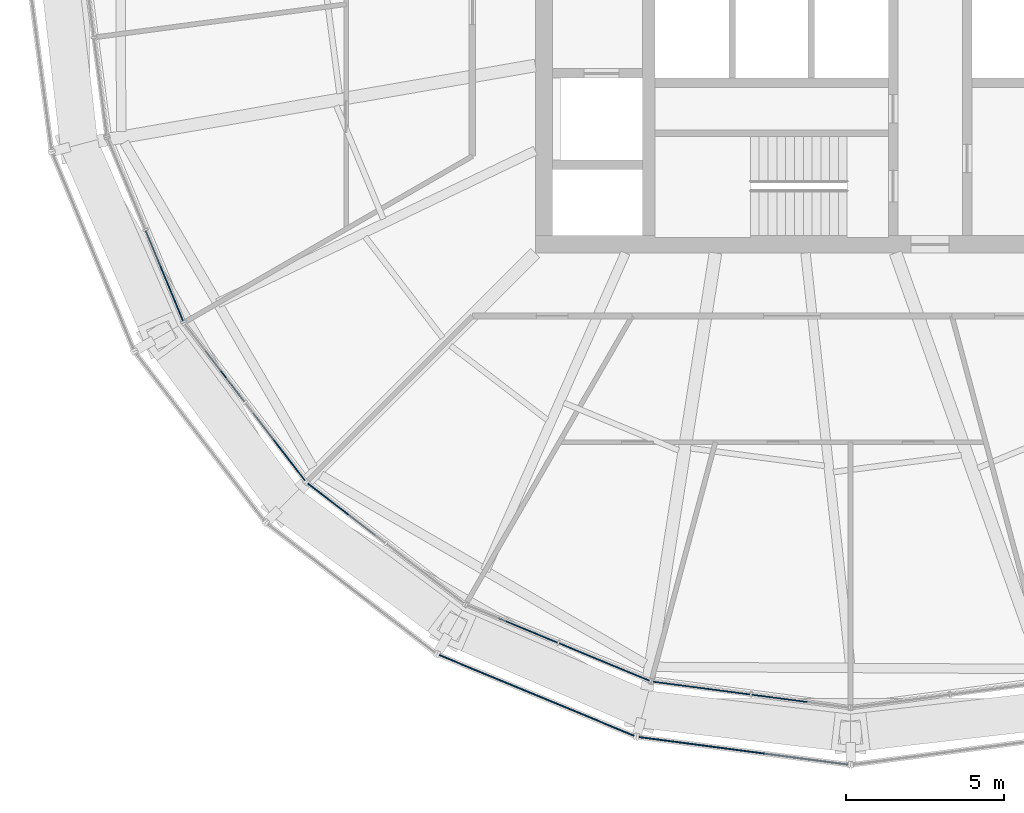
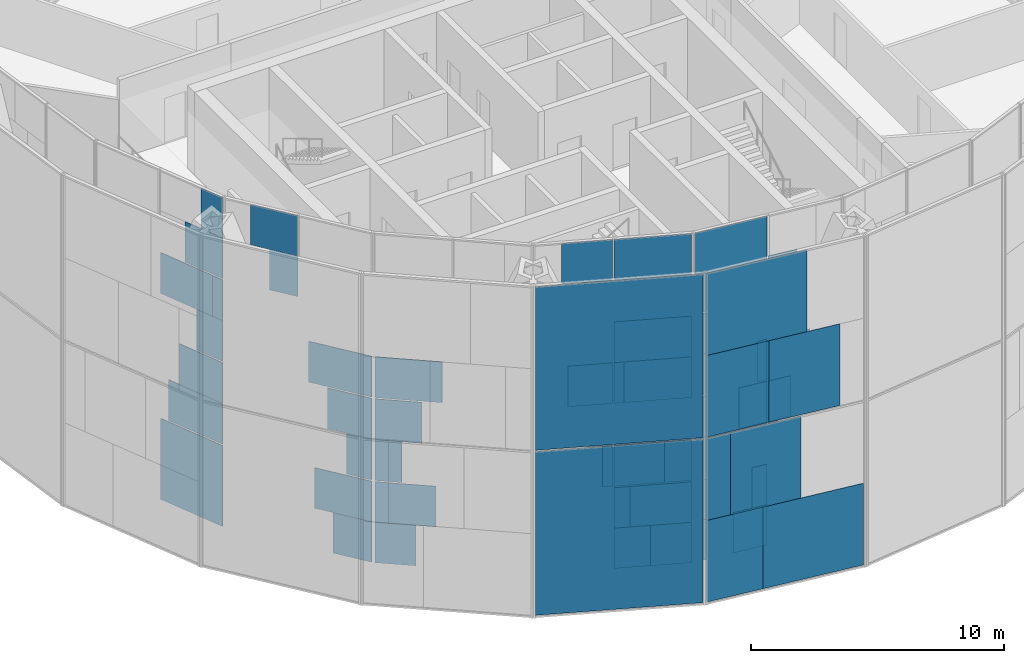
# One storey, part 13 of 28: 62 plates, 7 elements without a shape of their own.
"""IFC4 building model written with IfcOpenShell, lengths in metres."""

from ifc_helpers import new_model, si_unit, direction, frame, origin, origin_2d, place, context, subcontext, project, spatial, rectangle, extrude, material, layer, layer_set, type_object, element, aggregate, save


model = new_model("IFC4")

# Units and contexts
model_context = context("Model", 3, precision=1e-05, world=origin(), true_north=direction((0.0, 1.0)))
body_context = subcontext(model_context, "Body", "Model", "MODEL_VIEW")
ifc_project = project(units=[si_unit("LENGTHUNIT", "METRE"), si_unit("AREAUNIT", "SQUARE_METRE"), si_unit("VOLUMEUNIT", "CUBIC_METRE"), si_unit("PLANEANGLEUNIT", "RADIAN"), si_unit("MASSUNIT", "GRAM", prefix="KILO")], contexts=[model_context])

# Site, building, storey
site_placement = place(None, origin())
site = spatial("IfcSite", under=ifc_project, at=site_placement, CompositionType="ELEMENT")
building_placement = place(site_placement, origin())
building = spatial("IfcBuilding", under=site, at=building_placement, Name="Golbaran Civic Tower", CompositionType="ELEMENT")
storey_placement = place(building_placement, frame((0.0, 0.0, 134.0)))
storey = spatial("IfcBuildingStorey", under=building, at=storey_placement, Name="L32", CompositionType="ELEMENT", Elevation=134.0)

# Curtain wall, plates
ifc_material_1 = material(Name="Aluminium and glass", Category="aluminium")
curtain_wall_type_1 = type_object("IfcCurtainWallType", Name="INNER SKIN CURTAIN WALL", PredefinedType="NOTDEFINED", material=ifc_material_1)
curtain_wall_1_placement = place(storey_placement, origin())
curtain_wall_1 = element("IfcCurtainWall", 1, at=curtain_wall_1_placement, inside=storey, type_object=curtain_wall_type_1, Name="Inner skin L32 facet 14 CW1", ObjectType="INNER SKIN", PredefinedType="USERDEFINED")
ifc_material_2 = material(Name="Clear insulating glass", Category="glass")
ifc_layer_1 = layer(ifc_material_2, 0.031982421875, Name="Clear insulating glass")
ifc_layer_set_1 = layer_set([ifc_layer_1], Name="Clear insulating glass")
plate_type_1 = type_object("IfcPlateType", Name="INNER SKIN CURTAIN WALL GLAZED PANEL", PredefinedType="CURTAIN_PANEL", material=ifc_layer_set_1)
plate_1_placement = place(storey_placement, frame((-21.768798828125, -10.724853515625, 0.06494140625), z_axis=(0.0, 0.0, 1.0), x_axis=(0.38268343243, -0.923879532485, 0.0)))
plate_1 = element("IfcPlate", 2, at=plate_1_placement, type_object=plate_type_1, Name="CW1 panel 2.1", PredefinedType="CURTAIN_PANEL", context=body_context, shape_type="SweptSolid", body=[
    extrude(rectangle(XDim=3.090576171875, YDim=0.031982421875, at=origin_2d()), origin(), (0.0, 0.0, 1.0), 3.902587890625),
])
plate_2_placement = place(storey_placement, frame((-21.692138671875, -10.909912109375, 4.03271484375), z_axis=(0.0, 0.0, 1.0), x_axis=(0.38268343243, -0.923879532485, 0.0)))
plate_2 = element("IfcPlate", 3, at=plate_2_placement, type_object=plate_type_1, Name="CW1 panel 2.2 part 2", PredefinedType="CURTAIN_PANEL", context=body_context, shape_type="SweptSolid", body=[
    extrude(rectangle(XDim=2.689697265625, YDim=0.031982421875, at=origin_2d()), origin(), (0.0, 0.0, 1.0), 1.967529296875),
])
plate_3_placement = place(storey_placement, frame((-21.58935546875, -11.158447265625, 6.0), z_axis=(0.0, 0.0, 1.0), x_axis=(0.38268343243, -0.923879532485, 0.0)))
plate_3 = element("IfcPlate", 4, at=plate_3_placement, type_object=plate_type_1, Name="CW1 panel 2.2 part 4", PredefinedType="CURTAIN_PANEL", context=body_context, shape_type="SweptSolid", body=[
    extrude(rectangle(XDim=2.151611328125, YDim=0.031982421875, at=origin_2d()), origin(), (0.0, 0.0, 1.0), 1.967529296875),
])
plate_4_placement = place(storey_placement, frame((-21.4287109375, -11.546142578125, 8.03271484375), z_axis=(0.0, 0.0, 1.0), x_axis=(0.38268343243, -0.923879532485, 0.0)))
plate_4 = element("IfcPlate", 5, at=plate_4_placement, type_object=plate_type_1, Name="CW1 panel 2.3 part 2", PredefinedType="CURTAIN_PANEL", context=body_context, shape_type="SweptSolid", body=[
    extrude(rectangle(XDim=1.3125, YDim=0.031982421875, at=origin_2d()), origin(), (0.0, 0.0, 1.0), 1.967529296875),
])
plate_5_placement = place(storey_placement, frame((-21.2734375, -11.920654296875, 10.0), z_axis=(0.0, 0.0, 1.0), x_axis=(0.38268343243, -0.923879532485, 0.0)))
plate_5 = element("IfcPlate", 6, at=plate_5_placement, type_object=plate_type_1, Name="CW1 panel 2.3 part 4", PredefinedType="CURTAIN_PANEL", context=body_context, shape_type="SweptSolid", body=[
    extrude(rectangle(XDim=0.501708984375, YDim=0.031982421875, at=origin_2d()), origin(), (0.0, 0.0, 1.0), 1.967529296875),
])

curtain_wall_2_placement = place(storey_placement, origin())
curtain_wall_2 = element("IfcCurtainWall", 7, at=curtain_wall_2_placement, inside=storey, type_object=curtain_wall_type_1, Name="Inner skin L32 facet 15 CW1", ObjectType="INNER SKIN", PredefinedType="USERDEFINED")
plate_6_placement = place(storey_placement, frame((-19.6025390625, -14.232666015625, 12.032470703125), z_axis=(0.0, 0.0, 1.0), x_axis=(0.60876142905, -0.793353340259, 0.0)))
plate_6 = element("IfcPlate", 8, at=plate_6_placement, type_object=plate_type_1, Name="CW1 panel 1.4 part 2", PredefinedType="CURTAIN_PANEL", context=body_context, shape_type="SweptSolid", body=[
    extrude(rectangle(XDim=1.218505859375, YDim=0.031982421875, at=origin_2d()), origin(), (0.0, 0.0, 1.0), 1.951171875),
])
plate_7_placement = place(storey_placement, frame((-19.84765625, -13.913330078125, 13.98388671875), z_axis=(0.0, 0.0, 1.0), x_axis=(0.60876142905, -0.793353340259, 0.0)))
plate_7 = element("IfcPlate", 9, at=plate_7_placement, type_object=plate_type_1, Name="CW1 panel 1.4 part 4", PredefinedType="CURTAIN_PANEL", context=body_context, shape_type="SweptSolid", body=[
    extrude(rectangle(XDim=2.023681640625, YDim=0.031982421875, at=origin_2d()), origin(), (0.0, 0.0, 1.0), 1.951171875),
])
plate_8_placement = place(storey_placement, frame((-17.637451171875, -16.793701171875, 4.03271484375), z_axis=(0.0, 0.0, 1.0), x_axis=(0.60876142905, -0.793353340259, 0.0)))
plate_8 = element("IfcPlate", 10, at=plate_8_placement, type_object=plate_type_1, Name="CW1 panel 2.2 part 2", PredefinedType="CURTAIN_PANEL", context=body_context, shape_type="SweptSolid", body=[
    extrude(rectangle(XDim=1.073486328125, YDim=0.031982421875, at=origin_2d()), origin(), (0.0, 0.0, 1.0), 1.967529296875),
])
plate_9_placement = place(storey_placement, frame((-17.88427734375, -16.471923828125, 6.0), z_axis=(0.0, 0.0, 1.0), x_axis=(0.60876142905, -0.793353340259, 0.0)))
plate_9 = element("IfcPlate", 11, at=plate_9_placement, type_object=plate_type_1, Name="CW1 panel 2.2 part 4", PredefinedType="CURTAIN_PANEL", context=body_context, shape_type="SweptSolid", body=[
    extrude(rectangle(XDim=1.884521484375, YDim=0.031982421875, at=origin_2d()), origin(), (0.0, 0.0, 1.0), 1.967529296875),
])
plate_10_placement = place(storey_placement, frame((-18.12939453125, -16.152587890625, 8.03271484375), z_axis=(0.0, 0.0, 1.0), x_axis=(0.60876142905, -0.793353340259, 0.0)))
plate_10 = element("IfcPlate", 12, at=plate_10_placement, type_object=plate_type_1, Name="CW1 panel 2.3 part 2", PredefinedType="CURTAIN_PANEL", context=body_context, shape_type="SweptSolid", body=[
    extrude(rectangle(XDim=2.689697265625, YDim=0.031982421875, at=origin_2d()), origin(), (0.0, 0.0, 1.0), 1.967529296875),
])

curtain_wall_3_placement = place(storey_placement, origin())
curtain_wall_3 = element("IfcCurtainWall", 13, at=curtain_wall_3_placement, inside=storey, type_object=curtain_wall_type_1, Name="Inner skin L32 facet 16 CW1", ObjectType="INNER SKIN", PredefinedType="USERDEFINED")
plate_11_placement = place(storey_placement, frame((-16.7939453125, -17.63720703125, 4.03271484375), z_axis=(0.0, 0.0, 1.0), x_axis=(0.793353340259, -0.60876142905, 0.0)))
plate_11 = element("IfcPlate", 14, at=plate_11_placement, type_object=plate_type_1, Name="CW1 panel 1.2 part 1", PredefinedType="CURTAIN_PANEL", context=body_context, shape_type="SweptSolid", body=[
    extrude(rectangle(XDim=1.072998046875, YDim=0.031982421875, at=origin_2d()), origin(), (0.0, 0.0, 1.0), 1.967529296875),
])
plate_12_placement = place(storey_placement, frame((-16.4716796875, -17.884521484375, 6.0), z_axis=(0.0, 0.0, 1.0), x_axis=(0.793353340259, -0.60876142905, 0.0)))
plate_12 = element("IfcPlate", 15, at=plate_12_placement, type_object=plate_type_1, Name="CW1 panel 1.2 part 3", PredefinedType="CURTAIN_PANEL", context=body_context, shape_type="SweptSolid", body=[
    extrude(rectangle(XDim=1.885009765625, YDim=0.031982421875, at=origin_2d()), origin(), (0.0, 0.0, 1.0), 1.967529296875),
])
plate_13_placement = place(storey_placement, frame((-16.15283203125, -18.129150390625, 8.03271484375), z_axis=(0.0, 0.0, 1.0), x_axis=(0.793353340259, -0.60876142905, 0.0)))
plate_13 = element("IfcPlate", 16, at=plate_13_placement, type_object=plate_type_1, Name="CW1 panel 1.3 part 1", PredefinedType="CURTAIN_PANEL", context=body_context, shape_type="SweptSolid", body=[
    extrude(rectangle(XDim=2.68896484375, YDim=0.031982421875, at=origin_2d()), origin(), (0.0, 0.0, 1.0), 1.967529296875),
])

curtain_wall_4_placement = place(storey_placement, origin())
curtain_wall_4 = element("IfcCurtainWall", 17, at=curtain_wall_4_placement, inside=storey, type_object=curtain_wall_type_1, Name="Inner skin L32 facet 17 CW1", ObjectType="INNER SKIN", PredefinedType="USERDEFINED")
plate_14_placement = place(storey_placement, frame((-9.860107421875, -22.127197265625, 12.032470703125), z_axis=(0.0, 0.0, 1.0), x_axis=(0.923879532485, -0.38268343243, 0.0)))
plate_14 = element("IfcPlate", 18, at=plate_14_placement, type_object=plate_type_1, Name="CW1 panel 1.4 part 2", PredefinedType="CURTAIN_PANEL", context=body_context, shape_type="SweptSolid", body=[
    extrude(rectangle(XDim=1.218505859375, YDim=0.031982421875, at=origin_2d()), origin(), (0.0, 0.0, 1.0), 1.951171875),
])
plate_15_placement = place(storey_placement, frame((-10.23193359375, -21.97314453125, 13.98388671875), z_axis=(0.0, 0.0, 1.0), x_axis=(0.923879532485, -0.38268343243, 0.0)))
plate_15 = element("IfcPlate", 19, at=plate_15_placement, type_object=plate_type_1, Name="CW1 panel 1.4 part 4", PredefinedType="CURTAIN_PANEL", context=body_context, shape_type="SweptSolid", body=[
    extrude(rectangle(XDim=2.023681640625, YDim=0.031982421875, at=origin_2d()), origin(), (0.0, 0.0, 1.0), 1.951171875),
])
plate_16_placement = place(storey_placement, frame((-8.56689453125, -22.662841796875, 0.06494140625), z_axis=(0.0, 0.0, 1.0), x_axis=(0.923879532485, -0.38268343243, 0.0)))
plate_16 = element("IfcPlate", 20, at=plate_16_placement, type_object=plate_type_1, Name="CW1 panel 2.1 part 1", PredefinedType="CURTAIN_PANEL", context=body_context, shape_type="SweptSolid", body=[
    extrude(rectangle(XDim=1.450927734375, YDim=0.031982421875, at=origin_2d()), origin(), (0.0, 0.0, 1.0), 1.951171875),
])
plate_17_placement = place(storey_placement, frame((-8.938720703125, -22.5087890625, 2.016357421875), z_axis=(0.0, 0.0, 1.0), x_axis=(0.923879532485, -0.38268343243, 0.0)))
plate_17 = element("IfcPlate", 21, at=plate_17_placement, type_object=plate_type_1, Name="CW1 panel 2.1 part 3", PredefinedType="CURTAIN_PANEL", context=body_context, shape_type="SweptSolid", body=[
    extrude(rectangle(XDim=0.64599609375, YDim=0.031982421875, at=origin_2d()), origin(), (0.0, 0.0, 1.0), 1.951171875),
])
plate_18_placement = place(storey_placement, frame((-6.877685546875, -23.362548828125, 4.03271484375), z_axis=(0.0, 0.0, 1.0), x_axis=(0.923879532485, -0.38268343243, 0.0)))
plate_18 = element("IfcPlate", 22, at=plate_18_placement, type_object=plate_type_1, Name="CW1 panel 2.2 part 2", PredefinedType="CURTAIN_PANEL", context=body_context, shape_type="SweptSolid", body=[
    extrude(rectangle(XDim=1.073486328125, YDim=0.031982421875, at=origin_2d()), origin(), (0.0, 0.0, 1.0), 1.967529296875),
])
plate_19_placement = place(storey_placement, frame((-7.252197265625, -23.207275390625, 6.0), z_axis=(0.0, 0.0, 1.0), x_axis=(0.923879532485, -0.38268343243, 0.0)))
plate_19 = element("IfcPlate", 23, at=plate_19_placement, type_object=plate_type_1, Name="CW1 panel 2.2 part 4", PredefinedType="CURTAIN_PANEL", context=body_context, shape_type="SweptSolid", body=[
    extrude(rectangle(XDim=1.884521484375, YDim=0.031982421875, at=origin_2d()), origin(), (0.0, 0.0, 1.0), 1.967529296875),
])
plate_20_placement = place(storey_placement, frame((-7.6240234375, -23.05322265625, 8.03271484375), z_axis=(0.0, 0.0, 1.0), x_axis=(0.923879532485, -0.38268343243, 0.0)))
plate_20 = element("IfcPlate", 24, at=plate_20_placement, type_object=plate_type_1, Name="CW1 panel 2.3 part 2", PredefinedType="CURTAIN_PANEL", context=body_context, shape_type="SweptSolid", body=[
    extrude(rectangle(XDim=2.689697265625, YDim=0.031982421875, at=origin_2d()), origin(), (0.0, 0.0, 1.0), 1.967529296875),
])
plate_21_placement = place(storey_placement, frame((-7.809326171875, -22.9765625, 10.0), z_axis=(0.0, 0.0, 1.0), x_axis=(0.923879532485, -0.38268343243, 0.0)))
plate_21 = element("IfcPlate", 25, at=plate_21_placement, type_object=plate_type_1, Name="CW1 panel 2.3 part 3", PredefinedType="CURTAIN_PANEL", context=body_context, shape_type="SweptSolid", body=[
    extrude(rectangle(XDim=3.090576171875, YDim=0.031982421875, at=origin_2d()), origin(), (0.0, 0.0, 1.0), 1.967529296875),
])
plate_22_placement = place(storey_placement, frame((-7.809326171875, -22.9765625, 12.0322265625), z_axis=(0.0, 0.0, 1.0), x_axis=(0.923879532485, -0.38268343243, 0.0)))
plate_22 = element("IfcPlate", 26, at=plate_22_placement, type_object=plate_type_1, Name="CW1 panel 2.4", PredefinedType="CURTAIN_PANEL", context=body_context, shape_type="SweptSolid", body=[
    extrude(rectangle(XDim=3.090576171875, YDim=0.031982421875, at=origin_2d()), origin(), (0.0, 0.0, 1.0), 3.902587890625),
])

curtain_wall_5_placement = place(storey_placement, origin())
curtain_wall_5 = element("IfcCurtainWall", 27, at=curtain_wall_5_placement, inside=storey, type_object=curtain_wall_type_1, Name="Inner skin L32 facet 18 CW1", ObjectType="INNER SKIN", PredefinedType="USERDEFINED")
plate_23_placement = place(storey_placement, frame((-3.91259765625, -23.909912109375, 0.06494140625), z_axis=(0.0, 0.0, 1.0), x_axis=(0.991444861372, -0.130526192237, 0.0)))
plate_23 = element("IfcPlate", 28, at=plate_23_placement, type_object=plate_type_1, Name="CW1 panel 1.1 part 2", PredefinedType="CURTAIN_PANEL", context=body_context, shape_type="SweptSolid", body=[
    extrude(rectangle(XDim=1.45166015625, YDim=0.031982421875, at=origin_2d()), origin(), (0.0, 0.0, 1.0), 1.951171875),
])
plate_24_placement = place(storey_placement, frame((-3.513671875, -23.96240234375, 2.016357421875), z_axis=(0.0, 0.0, 1.0), x_axis=(0.991444861372, -0.130526192237, 0.0)))
plate_24 = element("IfcPlate", 29, at=plate_24_placement, type_object=plate_type_1, Name="CW1 panel 1.1 part 4", PredefinedType="CURTAIN_PANEL", context=body_context, shape_type="SweptSolid", body=[
    extrude(rectangle(XDim=0.646484375, YDim=0.031982421875, at=origin_2d()), origin(), (0.0, 0.0, 1.0), 1.951171875),
])
plate_25_placement = place(storey_placement, frame((-5.725341796875, -23.671142578125, 4.03271484375), z_axis=(0.0, 0.0, 1.0), x_axis=(0.991444861372, -0.130526192237, 0.0)))
plate_25 = element("IfcPlate", 30, at=plate_25_placement, type_object=plate_type_1, Name="CW1 panel 1.2 part 1", PredefinedType="CURTAIN_PANEL", context=body_context, shape_type="SweptSolid", body=[
    extrude(rectangle(XDim=1.072998046875, YDim=0.031982421875, at=origin_2d()), origin(), (0.0, 0.0, 1.0), 1.967529296875),
])
plate_26_placement = place(storey_placement, frame((-5.32275390625, -23.724365234375, 6.0), z_axis=(0.0, 0.0, 1.0), x_axis=(0.991444861372, -0.130526192237, 0.0)))
plate_26 = element("IfcPlate", 31, at=plate_26_placement, type_object=plate_type_1, Name="CW1 panel 1.2 part 3", PredefinedType="CURTAIN_PANEL", context=body_context, shape_type="SweptSolid", body=[
    extrude(rectangle(XDim=1.885009765625, YDim=0.031982421875, at=origin_2d()), origin(), (0.0, 0.0, 1.0), 1.967529296875),
])
plate_27_placement = place(storey_placement, frame((-4.92431640625, -23.776611328125, 8.03271484375), z_axis=(0.0, 0.0, 1.0), x_axis=(0.991444861372, -0.130526192237, 0.0)))
plate_27 = element("IfcPlate", 32, at=plate_27_placement, type_object=plate_type_1, Name="CW1 panel 1.3 part 1", PredefinedType="CURTAIN_PANEL", context=body_context, shape_type="SweptSolid", body=[
    extrude(rectangle(XDim=2.68896484375, YDim=0.031982421875, at=origin_2d()), origin(), (0.0, 0.0, 1.0), 1.967529296875),
])
plate_28_placement = place(storey_placement, frame((-4.72509765625, -23.802978515625, 10.0), z_axis=(0.0, 0.0, 1.0), x_axis=(0.991444861372, -0.130526192237, 0.0)))
plate_28 = element("IfcPlate", 33, at=plate_28_placement, type_object=plate_type_1, Name="CW1 panel 1.3 part 3", PredefinedType="CURTAIN_PANEL", context=body_context, shape_type="SweptSolid", body=[
    extrude(rectangle(XDim=3.090576171875, YDim=0.031982421875, at=origin_2d()), origin(), (0.0, 0.0, 1.0), 1.967529296875),
])
plate_29_placement = place(storey_placement, frame((-4.72509765625, -23.802978515625, 12.0322265625), z_axis=(0.0, 0.0, 1.0), x_axis=(0.991444861372, -0.130526192237, 0.0)))
plate_29 = element("IfcPlate", 34, at=plate_29_placement, type_object=plate_type_1, Name="CW1 panel 1.4", PredefinedType="CURTAIN_PANEL", context=body_context, shape_type="SweptSolid", body=[
    extrude(rectangle(XDim=3.090576171875, YDim=0.031982421875, at=origin_2d()), origin(), (0.0, 0.0, 1.0), 3.902587890625),
])
plate_30_placement = place(storey_placement, frame((-2.52490234375, -24.092529296875, 12.032470703125), z_axis=(0.0, 0.0, 1.0), x_axis=(0.991444861372, -0.130526192237, 0.0)))
plate_30 = element("IfcPlate", 35, at=plate_30_placement, type_object=plate_type_1, Name="CW1 panel 2.4 part 1", PredefinedType="CURTAIN_PANEL", context=body_context, shape_type="SweptSolid", body=[
    extrude(rectangle(XDim=1.218017578125, YDim=0.031982421875, at=origin_2d()), origin(), (0.0, 0.0, 1.0), 1.951171875),
])

# Plate
ifc_material_3 = material(Name="Aluminium faced opaque infill panel", Category="aluminium")
ifc_layer_2 = layer(ifc_material_3, 0.031982421875, Name="Aluminium faced opaque infill panel")
ifc_layer_set_2 = layer_set([ifc_layer_2], Name="Aluminium faced opaque infill panel")
plate_type_2 = type_object("IfcPlateType", Name="INNER SKIN CURTAIN WALL OPAQUE INFILL PANEL", PredefinedType="CURTAIN_PANEL", material=ifc_layer_set_2)
plate_31_placement = place(storey_placement, frame((-21.864990234375, -10.4931640625, 10.0), z_axis=(0.0, 0.0, 1.0), x_axis=(0.38268343243, -0.923879532485, 0.0)))
plate_31 = element("IfcPlate", 36, at=plate_31_placement, type_object=plate_type_2, Name="CW1 infill panel 2.3 part 3", PredefinedType="CURTAIN_PANEL", context=body_context, shape_type="SweptSolid", body=[
    extrude(rectangle(XDim=2.589111328125, YDim=0.031982421875, at=origin_2d()), origin(), (0.0, 0.0, 1.0), 1.967529296875),
])

plate_32_placement = place(storey_placement, frame((-21.535888671875, -11.287353515625, 12.032470703125), z_axis=(0.0, 0.0, 1.0), x_axis=(0.38268343243, -0.923879532485, 0.0)))
plate_32 = element("IfcPlate", 37, at=plate_32_placement, type_object=plate_type_2, Name="CW1 infill panel 2.4 part 2", PredefinedType="CURTAIN_PANEL", context=body_context, shape_type="SweptSolid", body=[
    extrude(rectangle(XDim=1.87255859375, YDim=0.031982421875, at=origin_2d()), origin(), (0.0, 0.0, 1.0), 1.951171875),
])

plate_33_placement = place(storey_placement, frame((-21.3818359375, -11.6591796875, 13.98388671875), z_axis=(0.0, 0.0, 1.0), x_axis=(0.38268343243, -0.923879532485, 0.0)))
plate_33 = element("IfcPlate", 38, at=plate_33_placement, type_object=plate_type_2, Name="CW1 infill panel 2.4 part 4", PredefinedType="CURTAIN_PANEL", context=body_context, shape_type="SweptSolid", body=[
    extrude(rectangle(XDim=1.067626953125, YDim=0.031982421875, at=origin_2d()), origin(), (0.0, 0.0, 1.0), 1.951171875),
])

aggregate(curtain_wall_1, [plate_1, plate_2, plate_3, plate_4, plate_31, plate_5, plate_32, plate_33])

plate_34_placement = place(storey_placement, frame((-17.809814453125, -16.569091796875, 0.06494140625), z_axis=(0.0, 0.0, 1.0), x_axis=(0.60876142905, -0.793353340259, 0.0)))
plate_34 = element("IfcPlate", 39, at=plate_34_placement, type_object=plate_type_2, Name="CW1 infill panel 2.1 part 2", PredefinedType="CURTAIN_PANEL", context=body_context, shape_type="SweptSolid", body=[
    extrude(rectangle(XDim=1.6396484375, YDim=0.031982421875, at=origin_2d()), origin(), (0.0, 0.0, 1.0), 1.951171875),
])

plate_35_placement = place(storey_placement, frame((-18.0546875, -16.249755859375, 2.016357421875), z_axis=(0.0, 0.0, 1.0), x_axis=(0.60876142905, -0.793353340259, 0.0)))
plate_35 = element("IfcPlate", 40, at=plate_35_placement, type_object=plate_type_2, Name="CW1 infill panel 2.1 part 4", PredefinedType="CURTAIN_PANEL", context=body_context, shape_type="SweptSolid", body=[
    extrude(rectangle(XDim=2.444580078125, YDim=0.031982421875, at=origin_2d()), origin(), (0.0, 0.0, 1.0), 1.951171875),
])

aggregate(curtain_wall_2, [plate_6, plate_7, plate_34, plate_35, plate_8, plate_9, plate_10])

plate_36_placement = place(storey_placement, frame((-16.5693359375, -17.8095703125, 0.06494140625), z_axis=(0.0, 0.0, 1.0), x_axis=(0.793353340259, -0.60876142905, 0.0)))
plate_36 = element("IfcPlate", 41, at=plate_36_placement, type_object=plate_type_2, Name="CW1 infill panel 1.1 part 1", PredefinedType="CURTAIN_PANEL", context=body_context, shape_type="SweptSolid", body=[
    extrude(rectangle(XDim=1.638916015625, YDim=0.031982421875, at=origin_2d()), origin(), (0.0, 0.0, 1.0), 1.951171875),
])

plate_37_placement = place(storey_placement, frame((-16.25, -18.054443359375, 2.016357421875), z_axis=(0.0, 0.0, 1.0), x_axis=(0.793353340259, -0.60876142905, 0.0)))
plate_37 = element("IfcPlate", 42, at=plate_37_placement, type_object=plate_type_2, Name="CW1 infill panel 1.1 part 3", PredefinedType="CURTAIN_PANEL", context=body_context, shape_type="SweptSolid", body=[
    extrude(rectangle(XDim=2.444091796875, YDim=0.031982421875, at=origin_2d()), origin(), (0.0, 0.0, 1.0), 1.951171875),
])

aggregate(curtain_wall_3, [plate_36, plate_37, plate_11, plate_12, plate_13])

plate_38_placement = place(storey_placement, frame((-9.482666015625, -22.283447265625, 4.03271484375), z_axis=(0.0, 0.0, 1.0), x_axis=(0.923879532485, -0.38268343243, 0.0)))
plate_38 = element("IfcPlate", 43, at=plate_38_placement, type_object=plate_type_2, Name="CW1 infill panel 1.2 part 2", PredefinedType="CURTAIN_PANEL", context=body_context, shape_type="SweptSolid", body=[
    extrude(rectangle(XDim=0.401611328125, YDim=0.031982421875, at=origin_2d()), origin(), (0.0, 0.0, 1.0), 1.967529296875),
])

plate_39_placement = place(storey_placement, frame((-9.731201171875, -22.180419921875, 6.0), z_axis=(0.0, 0.0, 1.0), x_axis=(0.923879532485, -0.38268343243, 0.0)))
plate_39 = element("IfcPlate", 44, at=plate_39_placement, type_object=plate_type_2, Name="CW1 infill panel 1.2 part 4", PredefinedType="CURTAIN_PANEL", context=body_context, shape_type="SweptSolid", body=[
    extrude(rectangle(XDim=0.939697265625, YDim=0.031982421875, at=origin_2d()), origin(), (0.0, 0.0, 1.0), 1.967529296875),
])

plate_40_placement = place(storey_placement, frame((-10.1181640625, -22.02001953125, 8.03271484375), z_axis=(0.0, 0.0, 1.0), x_axis=(0.923879532485, -0.38268343243, 0.0)))
plate_40 = element("IfcPlate", 45, at=plate_40_placement, type_object=plate_type_2, Name="CW1 infill panel 1.3 part 2", PredefinedType="CURTAIN_PANEL", context=body_context, shape_type="SweptSolid", body=[
    extrude(rectangle(XDim=1.777587890625, YDim=0.031982421875, at=origin_2d()), origin(), (0.0, 0.0, 1.0), 1.967529296875),
])

plate_41_placement = place(storey_placement, frame((-7.13916015625, -23.254150390625, 0.06494140625), z_axis=(0.0, 0.0, 1.0), x_axis=(0.923879532485, -0.38268343243, 0.0)))
plate_41 = element("IfcPlate", 46, at=plate_41_placement, type_object=plate_type_2, Name="CW1 infill panel 2.1 part 2", PredefinedType="CURTAIN_PANEL", context=body_context, shape_type="SweptSolid", body=[
    extrude(rectangle(XDim=1.6396484375, YDim=0.031982421875, at=origin_2d()), origin(), (0.0, 0.0, 1.0), 1.951171875),
])

plate_42_placement = place(storey_placement, frame((-7.510986328125, -23.10009765625, 2.016357421875), z_axis=(0.0, 0.0, 1.0), x_axis=(0.923879532485, -0.38268343243, 0.0)))
plate_42 = element("IfcPlate", 47, at=plate_42_placement, type_object=plate_type_2, Name="CW1 infill panel 2.1 part 4", PredefinedType="CURTAIN_PANEL", context=body_context, shape_type="SweptSolid", body=[
    extrude(rectangle(XDim=2.444580078125, YDim=0.031982421875, at=origin_2d()), origin(), (0.0, 0.0, 1.0), 1.951171875),
])

plate_43_placement = place(storey_placement, frame((-8.305419921875, -22.77099609375, 4.03271484375), z_axis=(0.0, 0.0, 1.0), x_axis=(0.923879532485, -0.38268343243, 0.0)))
plate_43 = element("IfcPlate", 48, at=plate_43_placement, type_object=plate_type_2, Name="CW1 infill panel 2.2 part 1", PredefinedType="CURTAIN_PANEL", context=body_context, shape_type="SweptSolid", body=[
    extrude(rectangle(XDim=2.01708984375, YDim=0.031982421875, at=origin_2d()), origin(), (0.0, 0.0, 1.0), 1.967529296875),
])

plate_44_placement = place(storey_placement, frame((-8.679931640625, -22.615966796875, 6.0), z_axis=(0.0, 0.0, 1.0), x_axis=(0.923879532485, -0.38268343243, 0.0)))
plate_44 = element("IfcPlate", 49, at=plate_44_placement, type_object=plate_type_2, Name="CW1 infill panel 2.2 part 3", PredefinedType="CURTAIN_PANEL", context=body_context, shape_type="SweptSolid", body=[
    extrude(rectangle(XDim=1.2060546875, YDim=0.031982421875, at=origin_2d()), origin(), (0.0, 0.0, 1.0), 1.967529296875),
])

plate_45_placement = place(storey_placement, frame((-9.0517578125, -22.4619140625, 8.03271484375), z_axis=(0.0, 0.0, 1.0), x_axis=(0.923879532485, -0.38268343243, 0.0)))
plate_45 = element("IfcPlate", 50, at=plate_45_placement, type_object=plate_type_2, Name="CW1 infill panel 2.3 part 1", PredefinedType="CURTAIN_PANEL", context=body_context, shape_type="SweptSolid", body=[
    extrude(rectangle(XDim=0.40087890625, YDim=0.031982421875, at=origin_2d()), origin(), (0.0, 0.0, 1.0), 1.967529296875),
])

aggregate(curtain_wall_4, [plate_38, plate_39, plate_40, plate_14, plate_15, plate_16, plate_41, plate_17, plate_42, plate_43, plate_18, plate_44, plate_19, plate_45, plate_20, plate_21, plate_22])

plate_46_placement = place(storey_placement, frame((-5.44482421875, -23.708251953125, 0.06494140625), z_axis=(0.0, 0.0, 1.0), x_axis=(0.991444861372, -0.130526192237, 0.0)))
plate_46 = element("IfcPlate", 51, at=plate_46_placement, type_object=plate_type_2, Name="CW1 infill panel 1.1 part 1", PredefinedType="CURTAIN_PANEL", context=body_context, shape_type="SweptSolid", body=[
    extrude(rectangle(XDim=1.638916015625, YDim=0.031982421875, at=origin_2d()), origin(), (0.0, 0.0, 1.0), 1.951171875),
])

plate_47_placement = place(storey_placement, frame((-5.045654296875, -23.7607421875, 2.016357421875), z_axis=(0.0, 0.0, 1.0), x_axis=(0.991444861372, -0.130526192237, 0.0)))
plate_47 = element("IfcPlate", 52, at=plate_47_placement, type_object=plate_type_2, Name="CW1 infill panel 1.1 part 3", PredefinedType="CURTAIN_PANEL", context=body_context, shape_type="SweptSolid", body=[
    extrude(rectangle(XDim=2.444091796875, YDim=0.031982421875, at=origin_2d()), origin(), (0.0, 0.0, 1.0), 1.951171875),
])

plate_48_placement = place(storey_placement, frame((-4.193115234375, -23.873046875, 4.03271484375), z_axis=(0.0, 0.0, 1.0), x_axis=(0.991444861372, -0.130526192237, 0.0)))
plate_48 = element("IfcPlate", 53, at=plate_48_placement, type_object=plate_type_2, Name="CW1 infill panel 1.2 part 2", PredefinedType="CURTAIN_PANEL", context=body_context, shape_type="SweptSolid", body=[
    extrude(rectangle(XDim=2.017578125, YDim=0.031982421875, at=origin_2d()), origin(), (0.0, 0.0, 1.0), 1.967529296875),
])

plate_49_placement = place(storey_placement, frame((-3.790771484375, -23.926025390625, 6.0), z_axis=(0.0, 0.0, 1.0), x_axis=(0.991444861372, -0.130526192237, 0.0)))
plate_49 = element("IfcPlate", 54, at=plate_49_placement, type_object=plate_type_2, Name="CW1 infill panel 1.2 part 4", PredefinedType="CURTAIN_PANEL", context=body_context, shape_type="SweptSolid", body=[
    extrude(rectangle(XDim=1.20556640625, YDim=0.031982421875, at=origin_2d()), origin(), (0.0, 0.0, 1.0), 1.967529296875),
])

plate_50_placement = place(storey_placement, frame((-3.39208984375, -23.978515625, 8.03271484375), z_axis=(0.0, 0.0, 1.0), x_axis=(0.991444861372, -0.130526192237, 0.0)))
plate_50 = element("IfcPlate", 55, at=plate_50_placement, type_object=plate_type_2, Name="CW1 infill panel 1.3 part 2", PredefinedType="CURTAIN_PANEL", context=body_context, shape_type="SweptSolid", body=[
    extrude(rectangle(XDim=0.401611328125, YDim=0.031982421875, at=origin_2d()), origin(), (0.0, 0.0, 1.0), 1.967529296875),
])

plate_51_placement = place(storey_placement, frame((-2.929931640625, -24.039306640625, 4.03271484375), z_axis=(0.0, 0.0, 1.0), x_axis=(0.991444861372, -0.130526192237, 0.0)))
plate_51 = element("IfcPlate", 56, at=plate_51_placement, type_object=plate_type_2, Name="CW1 infill panel 2.2 part 1", PredefinedType="CURTAIN_PANEL", context=body_context, shape_type="SweptSolid", body=[
    extrude(rectangle(XDim=0.40087890625, YDim=0.031982421875, at=origin_2d()), origin(), (0.0, 0.0, 1.0), 1.967529296875),
])

plate_52_placement = place(storey_placement, frame((-2.6630859375, -24.074462890625, 6.0), z_axis=(0.0, 0.0, 1.0), x_axis=(0.991444861372, -0.130526192237, 0.0)))
plate_52 = element("IfcPlate", 57, at=plate_52_placement, type_object=plate_type_2, Name="CW1 infill panel 2.2 part 3", PredefinedType="CURTAIN_PANEL", context=body_context, shape_type="SweptSolid", body=[
    extrude(rectangle(XDim=0.93896484375, YDim=0.031982421875, at=origin_2d()), origin(), (0.0, 0.0, 1.0), 1.967529296875),
])

plate_53_placement = place(storey_placement, frame((-2.247314453125, -24.129150390625, 8.03271484375), z_axis=(0.0, 0.0, 1.0), x_axis=(0.991444861372, -0.130526192237, 0.0)))
plate_53 = element("IfcPlate", 58, at=plate_53_placement, type_object=plate_type_2, Name="CW1 infill panel 2.3 part 1", PredefinedType="CURTAIN_PANEL", context=body_context, shape_type="SweptSolid", body=[
    extrude(rectangle(XDim=1.778076171875, YDim=0.031982421875, at=origin_2d()), origin(), (0.0, 0.0, 1.0), 1.967529296875),
])

aggregate(curtain_wall_5, [plate_46, plate_23, plate_47, plate_24, plate_25, plate_48, plate_26, plate_49, plate_27, plate_50, plate_28, plate_29, plate_51, plate_52, plate_53, plate_30])

# Curtain wall, plates
curtain_wall_type_2 = type_object("IfcCurtainWallType", Name="OUTER SKIN TERRACOTTA SCREEN", PredefinedType="NOTDEFINED", material=ifc_material_1)
curtain_wall_6_placement = place(storey_placement, origin())
curtain_wall_6 = element("IfcCurtainWall", 59, at=curtain_wall_6_placement, inside=storey, type_object=curtain_wall_type_2, Name="Outer skin L32 facet 18 CW3", ObjectType="OUTER SKIN", PredefinedType="USERDEFINED")
ifc_material_4 = material(Name="Clear laminated glass", Category="glass")
ifc_layer_3 = layer(ifc_material_4, 0.0400390625, Name="Clear laminated glass")
ifc_layer_set_3 = layer_set([ifc_layer_3], Name="Clear laminated glass")
plate_type_3 = type_object("IfcPlateType", Name="OUTER SKIN CLEAR GLASS PANEL", PredefinedType="CURTAIN_PANEL", material=ifc_layer_set_3)
plate_54_placement = place(storey_placement, frame((-2.20849609375, -25.94921875, -0.6298828125), z_axis=(0.0, 0.0, 1.0), x_axis=(0.991444861376, -0.130526192203, 0.0)))
plate_54 = element("IfcPlate", 60, at=plate_54_placement, type_object=plate_type_3, Name="CW3 panel 1.1 part 2", PredefinedType="CURTAIN_PANEL", context=body_context, shape_type="SweptSolid", body=[
    extrude(rectangle(XDim=4.294921875, YDim=0.0400390625, at=origin_2d()), origin(), (0.0, 0.0, 1.0), 3.93994140625),
])
plate_55_placement = place(storey_placement, frame((-6.2177734375, -25.42138671875, 3.31005859375), z_axis=(0.0, 0.0, 1.0), x_axis=(0.991444861376, -0.130526192203, 0.0)))
plate_55 = element("IfcPlate", 61, at=plate_55_placement, type_object=plate_type_3, Name="CW3 panel 1.1 part 3", PredefinedType="CURTAIN_PANEL", context=body_context, shape_type="SweptSolid", body=[
    extrude(rectangle(XDim=0.9970703125, YDim=0.0400390625, at=origin_2d()), origin(), (0.0, 0.0, 1.0), 3.93994140625),
])
plate_56_placement = place(storey_placement, frame((-5.3955078125, -25.52978515625, 7.330078125), z_axis=(0.0, 0.0, 1.0), x_axis=(0.991444861376, -0.130526192203, 0.0)))
plate_56 = element("IfcPlate", 62, at=plate_56_placement, type_object=plate_type_3, Name="CW3 panel 1.2 part 1", PredefinedType="CURTAIN_PANEL", context=body_context, shape_type="SweptSolid", body=[
    extrude(rectangle(XDim=2.656005859375, YDim=0.0400390625, at=origin_2d()), origin(), (0.0, 0.0, 1.0), 3.93994140625),
])
plate_57_placement = place(storey_placement, frame((-4.58935546875, -25.6357421875, 11.27001953125), z_axis=(0.0, 0.0, 1.0), x_axis=(0.991444861376, -0.130526192203, 0.0)))
plate_57 = element("IfcPlate", 63, at=plate_57_placement, type_object=plate_type_3, Name="CW3 panel 1.2 part 4", PredefinedType="CURTAIN_PANEL", context=body_context, shape_type="SweptSolid", body=[
    extrude(rectangle(XDim=4.281982421875, YDim=0.0400390625, at=origin_2d()), origin(), (0.0, 0.0, 1.0), 3.93994140625),
])
ifc_material_5 = material(Name="Terracotta baguette screen", Category="masonry")
ifc_layer_4 = layer(ifc_material_5, 0.0400390625, Name="Terracotta baguette screen")
ifc_layer_set_4 = layer_set([ifc_layer_4], Name="Terracotta baguette screen")
plate_type_4 = type_object("IfcPlateType", Name="OUTER SKIN TERRACOTTA INFILL PANEL", PredefinedType="CURTAIN_PANEL", material=ifc_layer_set_4)
plate_58_placement = place(storey_placement, frame((-5.52490234375, -25.5126953125, -0.6298828125), z_axis=(0.0, 0.0, 1.0), x_axis=(0.991444861376, -0.130526192203, 0.0)))
plate_58 = element("IfcPlate", 64, at=plate_58_placement, type_object=plate_type_4, Name="CW3 infill panel 1.1 part 1", PredefinedType="CURTAIN_PANEL", context=body_context, shape_type="SweptSolid", body=[
    extrude(rectangle(XDim=2.39501953125, YDim=0.0400390625, at=origin_2d()), origin(), (0.0, 0.0, 1.0), 3.93994140625),
])
plate_59_placement = place(storey_placement, frame((-4.224609375, -25.683837890625, 3.31005859375), z_axis=(0.0, 0.0, 1.0), x_axis=(0.991444861376, -0.130526192203, 0.0)))
plate_59 = element("IfcPlate", 65, at=plate_59_placement, type_object=plate_type_4, Name="CW3 infill panel 1.1 part 4", PredefinedType="CURTAIN_PANEL", context=body_context, shape_type="SweptSolid", body=[
    extrude(rectangle(XDim=3.02392578125, YDim=0.0400390625, at=origin_2d()), origin(), (0.0, 0.0, 1.0), 3.93994140625),
])
plate_60_placement = place(storey_placement, frame((-2.580322265625, -25.900390625, 7.330078125), z_axis=(0.0, 0.0, 1.0), x_axis=(0.991444861376, -0.130526192203, 0.0)))
plate_60 = element("IfcPlate", 66, at=plate_60_placement, type_object=plate_type_4, Name="CW3 infill panel 1.2 part 2", PredefinedType="CURTAIN_PANEL", context=body_context, shape_type="SweptSolid", body=[
    extrude(rectangle(XDim=3.02294921875, YDim=0.0400390625, at=origin_2d()), origin(), (0.0, 0.0, 1.0), 3.93994140625),
])
aggregate(curtain_wall_6, [plate_58, plate_54, plate_55, plate_59, plate_56, plate_60, plate_57])

curtain_wall_7_placement = place(storey_placement, origin())
curtain_wall_7 = element("IfcCurtainWall", 67, at=curtain_wall_7_placement, inside=storey, type_object=curtain_wall_type_2, Name="Outer skin L32 facet 17 CW3", ObjectType="OUTER SKIN", PredefinedType="USERDEFINED")
ifc_layer_5 = layer(ifc_material_5, 0.0400390625, Name="Terracotta baguette screen")
ifc_layer_set_5 = layer_set([ifc_layer_5], Name="Terracotta baguette screen")
plate_type_5 = type_object("IfcPlateType", Name="OUTER SKIN TERRACOTTA SCREEN PANEL", PredefinedType="CURTAIN_PANEL", material=ifc_layer_set_5)
plate_61_placement = place(storey_placement, frame((-9.955810546875, -24.03515625, -0.6298828125), z_axis=(0.0, 0.0, 1.0), x_axis=(0.923879532498, -0.382683432397, 0.0)))
plate_61 = element("IfcPlate", 68, at=plate_61_placement, type_object=plate_type_5, Name="CW3 terracotta screen panel 1.1", PredefinedType="CURTAIN_PANEL", context=body_context, shape_type="SweptSolid", body=[
    extrude(rectangle(XDim=6.68994140625, YDim=0.0400390625, at=origin_2d()), origin(), (0.0, 0.0, 1.0), 7.8798828125),
])
plate_62_placement = place(storey_placement, frame((-9.955810546875, -24.03515625, 7.330078125), z_axis=(0.0, 0.0, 1.0), x_axis=(0.923879532498, -0.382683432397, 0.0)))
plate_62 = element("IfcPlate", 69, at=plate_62_placement, type_object=plate_type_5, Name="CW3 terracotta screen panel 1.2", PredefinedType="CURTAIN_PANEL", context=body_context, shape_type="SweptSolid", body=[
    extrude(rectangle(XDim=6.68994140625, YDim=0.0400390625, at=origin_2d()), origin(), (0.0, 0.0, 1.0), 7.8798828125),
])
aggregate(curtain_wall_7, [plate_61, plate_62])

save(model, "model.ifc")
